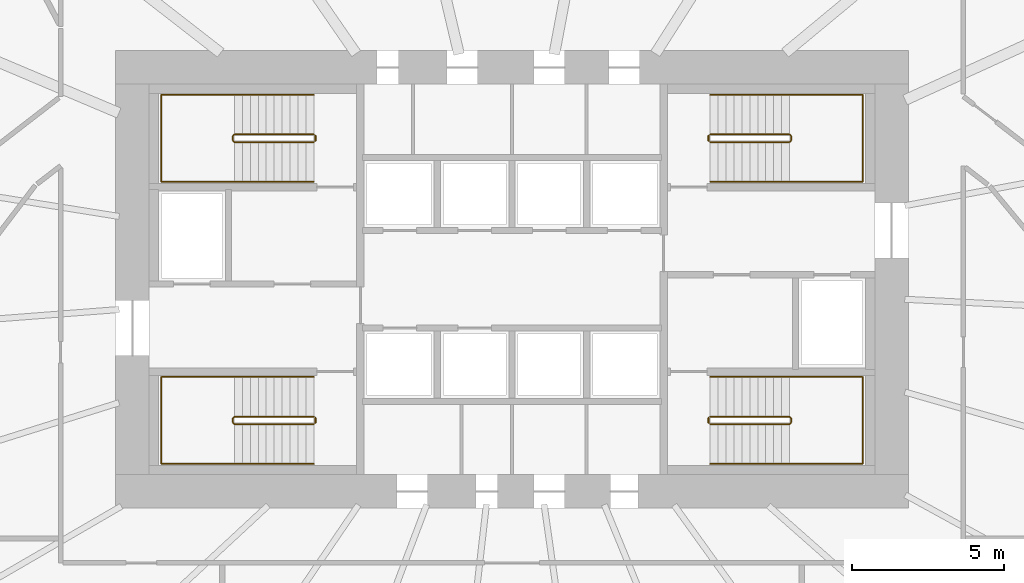
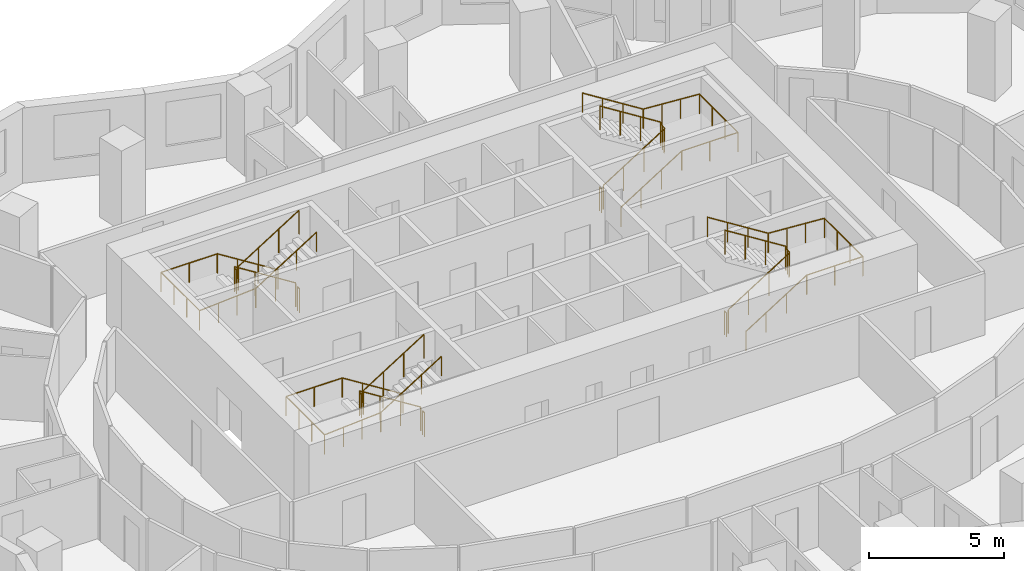
# One storey, part 10 of 10: 12 railings.
"""IFC4 building model written with IfcOpenShell, lengths in metres."""

from ifc_helpers import new_model, si_unit, direction, frame, origin, origin_2d, place, context, subcontext, project, spatial, circle, extrude, material, type_object, element, save


model = new_model("IFC4")

# Units and contexts
model_context = context("Model", 3, precision=1e-05, world=origin(), true_north=direction((0.0, 1.0)))
body_context = subcontext(model_context, "Body", "Model", "MODEL_VIEW")
ifc_project = project(units=[si_unit("LENGTHUNIT", "METRE"), si_unit("AREAUNIT", "SQUARE_METRE"), si_unit("VOLUMEUNIT", "CUBIC_METRE"), si_unit("PLANEANGLEUNIT", "RADIAN"), si_unit("MASSUNIT", "GRAM", prefix="KILO")], contexts=[model_context])

# Site, building, storey
site_placement = place(None, origin())
site = spatial("IfcSite", under=ifc_project, at=site_placement, CompositionType="ELEMENT")
building_placement = place(site_placement, origin())
building = spatial("IfcBuilding", under=site, at=building_placement, Name="Rubra Terraces Tower", CompositionType="ELEMENT")
storey_placement = place(building_placement, frame((0.0, 0.0, 88.800048828125)))
storey = spatial("IfcBuildingStorey", under=building, at=storey_placement, Name="L20", CompositionType="ELEMENT", Elevation=88.800048828125)

# Railings
ifc_material = material(Name="Stainless steel", Category="steel")
railing_type_1 = type_object("IfcRailingType", Name="Core stair guard 1100", PredefinedType="GUARDRAIL", material=ifc_material)
railing_1_placement = place(storey_placement, frame((-6.5, 0.0, 0.16357421875)))
element("IfcRailing", 1, at=railing_1_placement, inside=storey, type_object=railing_type_1, Name="L20 stair S1 guard 1", PredefinedType="GUARDRAIL", context=body_context, shape_type="SweptSolid", body=[
    extrude(circle(Radius=0.02392578125, at=origin_2d()), frame((0.0, 0.0, 1.076171875), z_axis=(-0.846324394277, 0.0, 0.532667832379), x_axis=(0.0, -1.0, 0.0)), (0.0, 0.0, 1.0), 3.072265625),
    extrude(circle(Radius=0.02392578125, at=origin_2d()), frame((-2.60009765625, 0.0, 2.71240234375), z_axis=(-0.705375805398, -0.708833529934, 0.0), x_axis=(0.708833529934, -0.705375805398, 0.0)), (0.0, 0.0, 1.0), 0.070556640625),
    extrude(circle(Radius=0.02392578125, at=origin_2d()), frame((-2.64990234375, -0.050048828125, 2.71240234375), z_axis=(0.0, -1.0, 0.0), x_axis=(1.0, 0.0, 0.0)), (0.0, 0.0, 1.0), 0.14990234375),
    extrude(circle(Radius=0.02392578125, at=origin_2d()), frame((-2.64990234375, -0.199951171875, 2.71240234375), z_axis=(0.279546231943, -0.280916556609, 0.91811752648), x_axis=(0.708833529934, 0.705375805398, 0.0)), (0.0, 0.0, 1.0), 0.17822265625),
    extrude(circle(Radius=0.02392578125, at=origin_2d()), frame((-2.60009765625, -0.25, 2.8759765625), z_axis=(0.846360218416, 0.0, 0.532610909279), x_axis=(0.0, 1.0, 0.0)), (0.0, 0.0, 1.0), 3.072021484375),
    extrude(circle(Radius=0.02099609375, at=origin_2d()), origin(), (0.0, 0.0, 1.0), 1.052001953125),
    extrude(circle(Radius=0.02099609375, at=origin_2d()), frame((-0.86669921875, 0.0, 0.54541015625)), (0.0, 0.0, 1.0), 1.052001953125),
    extrude(circle(Radius=0.02099609375, at=origin_2d()), frame((-1.7333984375, 0.0, 1.091064453125)), (0.0, 0.0, 1.0), 1.052001953125),
    extrude(circle(Radius=0.02099609375, at=origin_2d()), frame((-2.60009765625, 0.0, 1.636474609375)), (0.0, 0.0, 1.0), 1.052001953125),
    extrude(circle(Radius=0.02099609375, at=origin_2d()), frame((-2.64990234375, -0.050048828125, 1.636474609375)), (0.0, 0.0, 1.0), 1.052001953125),
    extrude(circle(Radius=0.02099609375, at=origin_2d()), frame((-2.64990234375, -0.199951171875, 1.636474609375)), (0.0, 0.0, 1.0), 1.052001953125),
    extrude(circle(Radius=0.02099609375, at=origin_2d()), frame((-2.60009765625, -0.25, 1.800048828125)), (0.0, 0.0, 1.0), 1.052001953125),
    extrude(circle(Radius=0.02099609375, at=origin_2d()), frame((-1.7333984375, -0.25, 2.345458984375)), (0.0, 0.0, 1.0), 1.052001953125),
    extrude(circle(Radius=0.02099609375, at=origin_2d()), frame((-0.86669921875, -0.25, 2.890869140625)), (0.0, 0.0, 1.0), 1.052001953125),
    extrude(circle(Radius=0.02099609375, at=origin_2d()), frame((0.0, -0.25, 3.436279296875)), (0.0, 0.0, 1.0), 1.052001953125),
])
railing_2_placement = place(storey_placement, frame((-6.449951171875, -0.050048828125, 0.0)))
element("IfcRailing", 2, at=railing_2_placement, inside=storey, type_object=railing_type_1, Name="L20 stair S1 guard 2", PredefinedType="GUARDRAIL", context=body_context, shape_type="SweptSolid", body=[
    extrude(circle(Radius=0.02392578125, at=origin_2d()), frame((0.0, 0.0, 1.076171875), z_axis=(0.0, -1.0, 0.0), x_axis=(1.0, 0.0, 0.0)), (0.0, 0.0, 1.0), 0.14990234375),
    extrude(circle(Radius=0.02099609375, at=origin_2d()), origin(), (0.0, 0.0, 1.0), 1.052001953125),
    extrude(circle(Radius=0.02099609375, at=origin_2d()), frame((0.0, -0.14990234375, 0.0)), (0.0, 0.0, 1.0), 1.052001953125),
])
railing_3_placement = place(storey_placement, frame((-6.5, 9.25, 0.16357421875)))
element("IfcRailing", 3, at=railing_3_placement, inside=storey, type_object=railing_type_1, Name="L20 stair S2 guard 1", PredefinedType="GUARDRAIL", context=body_context, shape_type="SweptSolid", body=[
    extrude(circle(Radius=0.02392578125, at=origin_2d()), frame((0.0, 0.0, 1.076171875), z_axis=(-0.846324394277, 0.0, 0.532667832379), x_axis=(0.0, -1.0, 0.0)), (0.0, 0.0, 1.0), 3.072265625),
    extrude(circle(Radius=0.02392578125, at=origin_2d()), frame((-2.60009765625, 0.0, 2.71240234375), z_axis=(-0.705375805398, -0.708833529934, 0.0), x_axis=(0.708833529934, -0.705375805398, 0.0)), (0.0, 0.0, 1.0), 0.070556640625),
    extrude(circle(Radius=0.02392578125, at=origin_2d()), frame((-2.64990234375, -0.050048828125, 2.71240234375), z_axis=(0.0, -1.0, 0.0), x_axis=(1.0, 0.0, 0.0)), (0.0, 0.0, 1.0), 0.14990234375),
    extrude(circle(Radius=0.02392578125, at=origin_2d()), frame((-2.64990234375, -0.199951171875, 2.71240234375), z_axis=(0.279546231943, -0.280916556609, 0.91811752648), x_axis=(0.708833529934, 0.705375805398, 0.0)), (0.0, 0.0, 1.0), 0.17822265625),
    extrude(circle(Radius=0.02392578125, at=origin_2d()), frame((-2.60009765625, -0.25, 2.8759765625), z_axis=(0.846360218416, 0.0, 0.532610909279), x_axis=(0.0, 1.0, 0.0)), (0.0, 0.0, 1.0), 3.072021484375),
    extrude(circle(Radius=0.02099609375, at=origin_2d()), origin(), (0.0, 0.0, 1.0), 1.052001953125),
    extrude(circle(Radius=0.02099609375, at=origin_2d()), frame((-0.86669921875, 0.0, 0.54541015625)), (0.0, 0.0, 1.0), 1.052001953125),
    extrude(circle(Radius=0.02099609375, at=origin_2d()), frame((-1.7333984375, 0.0, 1.091064453125)), (0.0, 0.0, 1.0), 1.052001953125),
    extrude(circle(Radius=0.02099609375, at=origin_2d()), frame((-2.60009765625, 0.0, 1.636474609375)), (0.0, 0.0, 1.0), 1.052001953125),
    extrude(circle(Radius=0.02099609375, at=origin_2d()), frame((-2.64990234375, -0.050048828125, 1.636474609375)), (0.0, 0.0, 1.0), 1.052001953125),
    extrude(circle(Radius=0.02099609375, at=origin_2d()), frame((-2.64990234375, -0.199951171875, 1.636474609375)), (0.0, 0.0, 1.0), 1.052001953125),
    extrude(circle(Radius=0.02099609375, at=origin_2d()), frame((-2.60009765625, -0.25, 1.800048828125)), (0.0, 0.0, 1.0), 1.052001953125),
    extrude(circle(Radius=0.02099609375, at=origin_2d()), frame((-1.7333984375, -0.25, 2.345458984375)), (0.0, 0.0, 1.0), 1.052001953125),
    extrude(circle(Radius=0.02099609375, at=origin_2d()), frame((-0.86669921875, -0.25, 2.890869140625)), (0.0, 0.0, 1.0), 1.052001953125),
    extrude(circle(Radius=0.02099609375, at=origin_2d()), frame((0.0, -0.25, 3.436279296875)), (0.0, 0.0, 1.0), 1.052001953125),
])
railing_4_placement = place(storey_placement, frame((-6.449951171875, 9.199951171875, 0.0)))
element("IfcRailing", 4, at=railing_4_placement, inside=storey, type_object=railing_type_1, Name="L20 stair S2 guard 2", PredefinedType="GUARDRAIL", context=body_context, shape_type="SweptSolid", body=[
    extrude(circle(Radius=0.02392578125, at=origin_2d()), frame((0.0, 0.0, 1.076171875), z_axis=(0.0, -1.0, 0.0), x_axis=(1.0, 0.0, 0.0)), (0.0, 0.0, 1.0), 0.14990234375),
    extrude(circle(Radius=0.02099609375, at=origin_2d()), origin(), (0.0, 0.0, 1.0), 1.052001953125),
    extrude(circle(Radius=0.02099609375, at=origin_2d()), frame((0.0, -0.14990234375, 0.0)), (0.0, 0.0, 1.0), 1.052001953125),
])
railing_5_placement = place(storey_placement, frame((6.5, 9.0, 0.16357421875)))
element("IfcRailing", 5, at=railing_5_placement, inside=storey, type_object=railing_type_1, Name="L20 stair S3 guard 1", PredefinedType="GUARDRAIL", context=body_context, shape_type="SweptSolid", body=[
    extrude(circle(Radius=0.02392578125, at=origin_2d()), frame((0.0, 0.0, 1.076171875), z_axis=(0.846324394277, 0.0, 0.532667832379), x_axis=(0.0, 1.0, 0.0)), (0.0, 0.0, 1.0), 3.072265625),
    extrude(circle(Radius=0.02392578125, at=origin_2d()), frame((2.60009765625, 0.0, 2.71240234375), z_axis=(0.705375805398, 0.708833529934, 0.0), x_axis=(-0.708833529934, 0.705375805398, 0.0)), (0.0, 0.0, 1.0), 0.070556640625),
    extrude(circle(Radius=0.02392578125, at=origin_2d()), frame((2.64990234375, 0.050048828125, 2.71240234375), z_axis=(0.0, 1.0, 0.0), x_axis=(-1.0, 0.0, 0.0)), (0.0, 0.0, 1.0), 0.14990234375),
    extrude(circle(Radius=0.02392578125, at=origin_2d()), frame((2.64990234375, 0.199951171875, 2.71240234375), z_axis=(-0.279546231943, 0.280916556609, 0.91811752648), x_axis=(-0.708833529934, -0.705375805398, 0.0)), (0.0, 0.0, 1.0), 0.17822265625),
    extrude(circle(Radius=0.02392578125, at=origin_2d()), frame((2.60009765625, 0.25, 2.8759765625), z_axis=(-0.846360218416, 0.0, 0.532610909279), x_axis=(0.0, -1.0, 0.0)), (0.0, 0.0, 1.0), 3.072021484375),
    extrude(circle(Radius=0.02099609375, at=origin_2d()), origin(), (0.0, 0.0, 1.0), 1.052001953125),
    extrude(circle(Radius=0.02099609375, at=origin_2d()), frame((0.86669921875, 0.0, 0.54541015625)), (0.0, 0.0, 1.0), 1.052001953125),
    extrude(circle(Radius=0.02099609375, at=origin_2d()), frame((1.7333984375, 0.0, 1.091064453125)), (0.0, 0.0, 1.0), 1.052001953125),
    extrude(circle(Radius=0.02099609375, at=origin_2d()), frame((2.60009765625, 0.0, 1.636474609375)), (0.0, 0.0, 1.0), 1.052001953125),
    extrude(circle(Radius=0.02099609375, at=origin_2d()), frame((2.64990234375, 0.050048828125, 1.636474609375)), (0.0, 0.0, 1.0), 1.052001953125),
    extrude(circle(Radius=0.02099609375, at=origin_2d()), frame((2.64990234375, 0.199951171875, 1.636474609375)), (0.0, 0.0, 1.0), 1.052001953125),
    extrude(circle(Radius=0.02099609375, at=origin_2d()), frame((2.60009765625, 0.25, 1.800048828125)), (0.0, 0.0, 1.0), 1.052001953125),
    extrude(circle(Radius=0.02099609375, at=origin_2d()), frame((1.7333984375, 0.25, 2.345458984375)), (0.0, 0.0, 1.0), 1.052001953125),
    extrude(circle(Radius=0.02099609375, at=origin_2d()), frame((0.86669921875, 0.25, 2.890869140625)), (0.0, 0.0, 1.0), 1.052001953125),
    extrude(circle(Radius=0.02099609375, at=origin_2d()), frame((0.0, 0.25, 3.436279296875)), (0.0, 0.0, 1.0), 1.052001953125),
])
railing_6_placement = place(storey_placement, frame((6.449951171875, 9.050048828125, 0.0)))
element("IfcRailing", 6, at=railing_6_placement, inside=storey, type_object=railing_type_1, Name="L20 stair S3 guard 2", PredefinedType="GUARDRAIL", context=body_context, shape_type="SweptSolid", body=[
    extrude(circle(Radius=0.02392578125, at=origin_2d()), frame((0.0, 0.0, 1.076171875), z_axis=(0.0, 1.0, 0.0), x_axis=(-1.0, 0.0, 0.0)), (0.0, 0.0, 1.0), 0.14990234375),
    extrude(circle(Radius=0.02099609375, at=origin_2d()), origin(), (0.0, 0.0, 1.0), 1.052001953125),
    extrude(circle(Radius=0.02099609375, at=origin_2d()), frame((0.0, 0.14990234375, 0.0)), (0.0, 0.0, 1.0), 1.052001953125),
])
railing_7_placement = place(storey_placement, frame((6.5, -0.25, 0.16357421875)))
element("IfcRailing", 7, at=railing_7_placement, inside=storey, type_object=railing_type_1, Name="L20 stair S4 guard 1", PredefinedType="GUARDRAIL", context=body_context, shape_type="SweptSolid", body=[
    extrude(circle(Radius=0.02392578125, at=origin_2d()), frame((0.0, 0.0, 1.076171875), z_axis=(0.846324394277, 0.0, 0.532667832379), x_axis=(0.0, 1.0, 0.0)), (0.0, 0.0, 1.0), 3.072265625),
    extrude(circle(Radius=0.02392578125, at=origin_2d()), frame((2.60009765625, 0.0, 2.71240234375), z_axis=(0.705375805398, 0.708833529934, 0.0), x_axis=(-0.708833529934, 0.705375805398, 0.0)), (0.0, 0.0, 1.0), 0.070556640625),
    extrude(circle(Radius=0.02392578125, at=origin_2d()), frame((2.64990234375, 0.050048828125, 2.71240234375), z_axis=(0.0, 1.0, 0.0), x_axis=(-1.0, 0.0, 0.0)), (0.0, 0.0, 1.0), 0.14990234375),
    extrude(circle(Radius=0.02392578125, at=origin_2d()), frame((2.64990234375, 0.199951171875, 2.71240234375), z_axis=(-0.279546231943, 0.280916556609, 0.91811752648), x_axis=(-0.708833529934, -0.705375805398, 0.0)), (0.0, 0.0, 1.0), 0.17822265625),
    extrude(circle(Radius=0.02392578125, at=origin_2d()), frame((2.60009765625, 0.25, 2.8759765625), z_axis=(-0.846360218416, 0.0, 0.532610909279), x_axis=(0.0, -1.0, 0.0)), (0.0, 0.0, 1.0), 3.072021484375),
    extrude(circle(Radius=0.02099609375, at=origin_2d()), origin(), (0.0, 0.0, 1.0), 1.052001953125),
    extrude(circle(Radius=0.02099609375, at=origin_2d()), frame((0.86669921875, 0.0, 0.54541015625)), (0.0, 0.0, 1.0), 1.052001953125),
    extrude(circle(Radius=0.02099609375, at=origin_2d()), frame((1.7333984375, 0.0, 1.091064453125)), (0.0, 0.0, 1.0), 1.052001953125),
    extrude(circle(Radius=0.02099609375, at=origin_2d()), frame((2.60009765625, 0.0, 1.636474609375)), (0.0, 0.0, 1.0), 1.052001953125),
    extrude(circle(Radius=0.02099609375, at=origin_2d()), frame((2.64990234375, 0.050048828125, 1.636474609375)), (0.0, 0.0, 1.0), 1.052001953125),
    extrude(circle(Radius=0.02099609375, at=origin_2d()), frame((2.64990234375, 0.199951171875, 1.636474609375)), (0.0, 0.0, 1.0), 1.052001953125),
    extrude(circle(Radius=0.02099609375, at=origin_2d()), frame((2.60009765625, 0.25, 1.800048828125)), (0.0, 0.0, 1.0), 1.052001953125),
    extrude(circle(Radius=0.02099609375, at=origin_2d()), frame((1.7333984375, 0.25, 2.345458984375)), (0.0, 0.0, 1.0), 1.052001953125),
    extrude(circle(Radius=0.02099609375, at=origin_2d()), frame((0.86669921875, 0.25, 2.890869140625)), (0.0, 0.0, 1.0), 1.052001953125),
    extrude(circle(Radius=0.02099609375, at=origin_2d()), frame((0.0, 0.25, 3.436279296875)), (0.0, 0.0, 1.0), 1.052001953125),
])
railing_8_placement = place(storey_placement, frame((6.449951171875, -0.199951171875, 0.0)))
element("IfcRailing", 8, at=railing_8_placement, inside=storey, type_object=railing_type_1, Name="L20 stair S4 guard 2", PredefinedType="GUARDRAIL", context=body_context, shape_type="SweptSolid", body=[
    extrude(circle(Radius=0.02392578125, at=origin_2d()), frame((0.0, 0.0, 1.076171875), z_axis=(0.0, 1.0, 0.0), x_axis=(-1.0, 0.0, 0.0)), (0.0, 0.0, 1.0), 0.14990234375),
    extrude(circle(Radius=0.02099609375, at=origin_2d()), origin(), (0.0, 0.0, 1.0), 1.052001953125),
    extrude(circle(Radius=0.02099609375, at=origin_2d()), frame((0.0, 0.14990234375, 0.0)), (0.0, 0.0, 1.0), 1.052001953125),
])
railing_type_2 = type_object("IfcRailingType", Name="Core stair handrail 900", PredefinedType="HANDRAIL", material=ifc_material)
railing_9_placement = place(storey_placement, frame((-6.5, 1.300048828125, 0.16357421875)))
element("IfcRailing", 9, at=railing_9_placement, inside=storey, type_object=railing_type_2, Name="L20 stair S1 handrail 1", PredefinedType="HANDRAIL", context=body_context, shape_type="SweptSolid", body=[
    extrude(circle(Radius=0.02392578125, at=origin_2d()), frame((0.0, 0.0, 0.8759765625), z_axis=(-0.846324394277, 0.0, 0.532667832379), x_axis=(0.0, -1.0, 0.0)), (0.0, 0.0, 1.0), 3.072265625),
    extrude(circle(Radius=0.02392578125, at=origin_2d()), frame((-2.60009765625, 0.0, 2.51220703125), z_axis=(-1.0, 0.0, 0.0), x_axis=(0.0, -1.0, 0.0)), (0.0, 0.0, 1.0), 2.39990234375),
    extrude(circle(Radius=0.02392578125, at=origin_2d()), frame((-5.0, 0.0, 2.51220703125), z_axis=(0.0, -1.0, 0.0), x_axis=(1.0, 0.0, 0.0)), (0.0, 0.0, 1.0), 2.85009765625),
    extrude(circle(Radius=0.02392578125, at=origin_2d()), frame((-5.0, -2.85009765625, 2.51220703125), z_axis=(0.997685257876, 0.0, 0.068000928055), x_axis=(0.0, 1.0, 0.0)), (0.0, 0.0, 1.0), 2.405517578125),
    extrude(circle(Radius=0.02392578125, at=origin_2d()), frame((-2.60009765625, -2.85009765625, 2.67578125), z_axis=(0.846360218416, 0.0, 0.532610909279), x_axis=(0.0, 1.0, 0.0)), (0.0, 0.0, 1.0), 3.072021484375),
    extrude(circle(Radius=0.02099609375, at=origin_2d()), origin(), (0.0, 0.0, 1.0), 0.851806640625),
    extrude(circle(Radius=0.02099609375, at=origin_2d()), frame((-0.86669921875, 0.0, 0.54541015625)), (0.0, 0.0, 1.0), 0.851806640625),
    extrude(circle(Radius=0.02099609375, at=origin_2d()), frame((-1.7333984375, 0.0, 1.091064453125)), (0.0, 0.0, 1.0), 0.851806640625),
    extrude(circle(Radius=0.02099609375, at=origin_2d()), frame((-2.60009765625, 0.0, 1.636474609375)), (0.0, 0.0, 1.0), 0.851806640625),
    extrude(circle(Radius=0.02099609375, at=origin_2d()), frame((-3.800048828125, 0.0, 1.636474609375)), (0.0, 0.0, 1.0), 0.851806640625),
    extrude(circle(Radius=0.02099609375, at=origin_2d()), frame((-5.0, 0.0, 1.636474609375)), (0.0, 0.0, 1.0), 0.851806640625),
    extrude(circle(Radius=0.02099609375, at=origin_2d()), frame((-5.0, -0.949951171875, 1.636474609375)), (0.0, 0.0, 1.0), 0.851806640625),
    extrude(circle(Radius=0.02099609375, at=origin_2d()), frame((-5.0, -1.900146484375, 1.636474609375)), (0.0, 0.0, 1.0), 0.851806640625),
    extrude(circle(Radius=0.02099609375, at=origin_2d()), frame((-5.0, -2.85009765625, 1.636474609375)), (0.0, 0.0, 1.0), 0.851806640625),
    extrude(circle(Radius=0.02099609375, at=origin_2d()), frame((-4.199951171875, -2.85009765625, 1.69091796875)), (0.0, 0.0, 1.0), 0.851806640625),
    extrude(circle(Radius=0.02099609375, at=origin_2d()), frame((-3.400146484375, -2.85009765625, 1.74560546875)), (0.0, 0.0, 1.0), 0.851806640625),
    extrude(circle(Radius=0.02099609375, at=origin_2d()), frame((-2.60009765625, -2.85009765625, 1.800048828125)), (0.0, 0.0, 1.0), 0.851806640625),
    extrude(circle(Radius=0.02099609375, at=origin_2d()), frame((-1.7333984375, -2.85009765625, 2.345458984375)), (0.0, 0.0, 1.0), 0.851806640625),
    extrude(circle(Radius=0.02099609375, at=origin_2d()), frame((-0.86669921875, -2.85009765625, 2.890869140625)), (0.0, 0.0, 1.0), 0.851806640625),
    extrude(circle(Radius=0.02099609375, at=origin_2d()), frame((0.0, -2.85009765625, 3.436279296875)), (0.0, 0.0, 1.0), 0.851806640625),
])
railing_10_placement = place(storey_placement, frame((-6.5, 10.550048828125, 0.16357421875)))
element("IfcRailing", 10, at=railing_10_placement, inside=storey, type_object=railing_type_2, Name="L20 stair S2 handrail 1", PredefinedType="HANDRAIL", context=body_context, shape_type="SweptSolid", body=[
    extrude(circle(Radius=0.02392578125, at=origin_2d()), frame((0.0, 0.0, 0.8759765625), z_axis=(-0.846324394277, 0.0, 0.532667832379), x_axis=(0.0, -1.0, 0.0)), (0.0, 0.0, 1.0), 3.072265625),
    extrude(circle(Radius=0.02392578125, at=origin_2d()), frame((-2.60009765625, 0.0, 2.51220703125), z_axis=(-1.0, 0.0, 0.0), x_axis=(0.0, -1.0, 0.0)), (0.0, 0.0, 1.0), 2.39990234375),
    extrude(circle(Radius=0.02392578125, at=origin_2d()), frame((-5.0, 0.0, 2.51220703125), z_axis=(0.0, -1.0, 0.0), x_axis=(1.0, 0.0, 0.0)), (0.0, 0.0, 1.0), 2.85009765625),
    extrude(circle(Radius=0.02392578125, at=origin_2d()), frame((-5.0, -2.85009765625, 2.51220703125), z_axis=(0.997685257876, 0.0, 0.068000928055), x_axis=(0.0, 1.0, 0.0)), (0.0, 0.0, 1.0), 2.405517578125),
    extrude(circle(Radius=0.02392578125, at=origin_2d()), frame((-2.60009765625, -2.85009765625, 2.67578125), z_axis=(0.846360218416, 0.0, 0.532610909279), x_axis=(0.0, 1.0, 0.0)), (0.0, 0.0, 1.0), 3.072021484375),
    extrude(circle(Radius=0.02099609375, at=origin_2d()), origin(), (0.0, 0.0, 1.0), 0.851806640625),
    extrude(circle(Radius=0.02099609375, at=origin_2d()), frame((-0.86669921875, 0.0, 0.54541015625)), (0.0, 0.0, 1.0), 0.851806640625),
    extrude(circle(Radius=0.02099609375, at=origin_2d()), frame((-1.7333984375, 0.0, 1.091064453125)), (0.0, 0.0, 1.0), 0.851806640625),
    extrude(circle(Radius=0.02099609375, at=origin_2d()), frame((-2.60009765625, 0.0, 1.636474609375)), (0.0, 0.0, 1.0), 0.851806640625),
    extrude(circle(Radius=0.02099609375, at=origin_2d()), frame((-3.800048828125, 0.0, 1.636474609375)), (0.0, 0.0, 1.0), 0.851806640625),
    extrude(circle(Radius=0.02099609375, at=origin_2d()), frame((-5.0, 0.0, 1.636474609375)), (0.0, 0.0, 1.0), 0.851806640625),
    extrude(circle(Radius=0.02099609375, at=origin_2d()), frame((-5.0, -0.949951171875, 1.636474609375)), (0.0, 0.0, 1.0), 0.851806640625),
    extrude(circle(Radius=0.02099609375, at=origin_2d()), frame((-5.0, -1.900146484375, 1.636474609375)), (0.0, 0.0, 1.0), 0.851806640625),
    extrude(circle(Radius=0.02099609375, at=origin_2d()), frame((-5.0, -2.85009765625, 1.636474609375)), (0.0, 0.0, 1.0), 0.851806640625),
    extrude(circle(Radius=0.02099609375, at=origin_2d()), frame((-4.199951171875, -2.85009765625, 1.69091796875)), (0.0, 0.0, 1.0), 0.851806640625),
    extrude(circle(Radius=0.02099609375, at=origin_2d()), frame((-3.400146484375, -2.85009765625, 1.74560546875)), (0.0, 0.0, 1.0), 0.851806640625),
    extrude(circle(Radius=0.02099609375, at=origin_2d()), frame((-2.60009765625, -2.85009765625, 1.800048828125)), (0.0, 0.0, 1.0), 0.851806640625),
    extrude(circle(Radius=0.02099609375, at=origin_2d()), frame((-1.7333984375, -2.85009765625, 2.345458984375)), (0.0, 0.0, 1.0), 0.851806640625),
    extrude(circle(Radius=0.02099609375, at=origin_2d()), frame((-0.86669921875, -2.85009765625, 2.890869140625)), (0.0, 0.0, 1.0), 0.851806640625),
    extrude(circle(Radius=0.02099609375, at=origin_2d()), frame((0.0, -2.85009765625, 3.436279296875)), (0.0, 0.0, 1.0), 0.851806640625),
])
railing_11_placement = place(storey_placement, frame((6.5, 7.699951171875, 0.16357421875)))
element("IfcRailing", 11, at=railing_11_placement, inside=storey, type_object=railing_type_2, Name="L20 stair S3 handrail 1", PredefinedType="HANDRAIL", context=body_context, shape_type="SweptSolid", body=[
    extrude(circle(Radius=0.02392578125, at=origin_2d()), frame((0.0, 0.0, 0.8759765625), z_axis=(0.846324394277, 0.0, 0.532667832379), x_axis=(0.0, 1.0, 0.0)), (0.0, 0.0, 1.0), 3.072265625),
    extrude(circle(Radius=0.02392578125, at=origin_2d()), frame((2.60009765625, 0.0, 2.51220703125), z_axis=(1.0, 0.0, 0.0), x_axis=(0.0, 1.0, 0.0)), (0.0, 0.0, 1.0), 2.39990234375),
    extrude(circle(Radius=0.02392578125, at=origin_2d()), frame((5.0, 0.0, 2.51220703125), z_axis=(0.0, 1.0, 0.0), x_axis=(-1.0, 0.0, 0.0)), (0.0, 0.0, 1.0), 2.85009765625),
    extrude(circle(Radius=0.02392578125, at=origin_2d()), frame((5.0, 2.85009765625, 2.51220703125), z_axis=(-0.997685257876, 0.0, 0.068000928055), x_axis=(0.0, -1.0, 0.0)), (0.0, 0.0, 1.0), 2.405517578125),
    extrude(circle(Radius=0.02392578125, at=origin_2d()), frame((2.60009765625, 2.85009765625, 2.67578125), z_axis=(-0.846360218416, 0.0, 0.532610909279), x_axis=(0.0, -1.0, 0.0)), (0.0, 0.0, 1.0), 3.072021484375),
    extrude(circle(Radius=0.02099609375, at=origin_2d()), origin(), (0.0, 0.0, 1.0), 0.851806640625),
    extrude(circle(Radius=0.02099609375, at=origin_2d()), frame((0.86669921875, 0.0, 0.54541015625)), (0.0, 0.0, 1.0), 0.851806640625),
    extrude(circle(Radius=0.02099609375, at=origin_2d()), frame((1.7333984375, 0.0, 1.091064453125)), (0.0, 0.0, 1.0), 0.851806640625),
    extrude(circle(Radius=0.02099609375, at=origin_2d()), frame((2.60009765625, 0.0, 1.636474609375)), (0.0, 0.0, 1.0), 0.851806640625),
    extrude(circle(Radius=0.02099609375, at=origin_2d()), frame((3.800048828125, 0.0, 1.636474609375)), (0.0, 0.0, 1.0), 0.851806640625),
    extrude(circle(Radius=0.02099609375, at=origin_2d()), frame((5.0, 0.0, 1.636474609375)), (0.0, 0.0, 1.0), 0.851806640625),
    extrude(circle(Radius=0.02099609375, at=origin_2d()), frame((5.0, 0.949951171875, 1.636474609375)), (0.0, 0.0, 1.0), 0.851806640625),
    extrude(circle(Radius=0.02099609375, at=origin_2d()), frame((5.0, 1.900146484375, 1.636474609375)), (0.0, 0.0, 1.0), 0.851806640625),
    extrude(circle(Radius=0.02099609375, at=origin_2d()), frame((5.0, 2.85009765625, 1.636474609375)), (0.0, 0.0, 1.0), 0.851806640625),
    extrude(circle(Radius=0.02099609375, at=origin_2d()), frame((4.199951171875, 2.85009765625, 1.69091796875)), (0.0, 0.0, 1.0), 0.851806640625),
    extrude(circle(Radius=0.02099609375, at=origin_2d()), frame((3.400146484375, 2.85009765625, 1.74560546875)), (0.0, 0.0, 1.0), 0.851806640625),
    extrude(circle(Radius=0.02099609375, at=origin_2d()), frame((2.60009765625, 2.85009765625, 1.800048828125)), (0.0, 0.0, 1.0), 0.851806640625),
    extrude(circle(Radius=0.02099609375, at=origin_2d()), frame((1.7333984375, 2.85009765625, 2.345458984375)), (0.0, 0.0, 1.0), 0.851806640625),
    extrude(circle(Radius=0.02099609375, at=origin_2d()), frame((0.86669921875, 2.85009765625, 2.890869140625)), (0.0, 0.0, 1.0), 0.851806640625),
    extrude(circle(Radius=0.02099609375, at=origin_2d()), frame((0.0, 2.85009765625, 3.436279296875)), (0.0, 0.0, 1.0), 0.851806640625),
])
railing_12_placement = place(storey_placement, frame((6.5, -1.550048828125, 0.16357421875)))
element("IfcRailing", 12, at=railing_12_placement, inside=storey, type_object=railing_type_2, Name="L20 stair S4 handrail 1", PredefinedType="HANDRAIL", context=body_context, shape_type="SweptSolid", body=[
    extrude(circle(Radius=0.02392578125, at=origin_2d()), frame((0.0, 0.0, 0.8759765625), z_axis=(0.846324394277, 0.0, 0.532667832379), x_axis=(0.0, 1.0, 0.0)), (0.0, 0.0, 1.0), 3.072265625),
    extrude(circle(Radius=0.02392578125, at=origin_2d()), frame((2.60009765625, 0.0, 2.51220703125), z_axis=(1.0, 0.0, 0.0), x_axis=(0.0, 1.0, 0.0)), (0.0, 0.0, 1.0), 2.39990234375),
    extrude(circle(Radius=0.02392578125, at=origin_2d()), frame((5.0, 0.0, 2.51220703125), z_axis=(0.0, 1.0, 0.0), x_axis=(-1.0, 0.0, 0.0)), (0.0, 0.0, 1.0), 2.85009765625),
    extrude(circle(Radius=0.02392578125, at=origin_2d()), frame((5.0, 2.85009765625, 2.51220703125), z_axis=(-0.997685257876, 0.0, 0.068000928055), x_axis=(0.0, -1.0, 0.0)), (0.0, 0.0, 1.0), 2.405517578125),
    extrude(circle(Radius=0.02392578125, at=origin_2d()), frame((2.60009765625, 2.85009765625, 2.67578125), z_axis=(-0.846360218416, 0.0, 0.532610909279), x_axis=(0.0, -1.0, 0.0)), (0.0, 0.0, 1.0), 3.072021484375),
    extrude(circle(Radius=0.02099609375, at=origin_2d()), origin(), (0.0, 0.0, 1.0), 0.851806640625),
    extrude(circle(Radius=0.02099609375, at=origin_2d()), frame((0.86669921875, 0.0, 0.54541015625)), (0.0, 0.0, 1.0), 0.851806640625),
    extrude(circle(Radius=0.02099609375, at=origin_2d()), frame((1.7333984375, 0.0, 1.091064453125)), (0.0, 0.0, 1.0), 0.851806640625),
    extrude(circle(Radius=0.02099609375, at=origin_2d()), frame((2.60009765625, 0.0, 1.636474609375)), (0.0, 0.0, 1.0), 0.851806640625),
    extrude(circle(Radius=0.02099609375, at=origin_2d()), frame((3.800048828125, 0.0, 1.636474609375)), (0.0, 0.0, 1.0), 0.851806640625),
    extrude(circle(Radius=0.02099609375, at=origin_2d()), frame((5.0, 0.0, 1.636474609375)), (0.0, 0.0, 1.0), 0.851806640625),
    extrude(circle(Radius=0.02099609375, at=origin_2d()), frame((5.0, 0.949951171875, 1.636474609375)), (0.0, 0.0, 1.0), 0.851806640625),
    extrude(circle(Radius=0.02099609375, at=origin_2d()), frame((5.0, 1.900146484375, 1.636474609375)), (0.0, 0.0, 1.0), 0.851806640625),
    extrude(circle(Radius=0.02099609375, at=origin_2d()), frame((5.0, 2.85009765625, 1.636474609375)), (0.0, 0.0, 1.0), 0.851806640625),
    extrude(circle(Radius=0.02099609375, at=origin_2d()), frame((4.199951171875, 2.85009765625, 1.69091796875)), (0.0, 0.0, 1.0), 0.851806640625),
    extrude(circle(Radius=0.02099609375, at=origin_2d()), frame((3.400146484375, 2.85009765625, 1.74560546875)), (0.0, 0.0, 1.0), 0.851806640625),
    extrude(circle(Radius=0.02099609375, at=origin_2d()), frame((2.60009765625, 2.85009765625, 1.800048828125)), (0.0, 0.0, 1.0), 0.851806640625),
    extrude(circle(Radius=0.02099609375, at=origin_2d()), frame((1.7333984375, 2.85009765625, 2.345458984375)), (0.0, 0.0, 1.0), 0.851806640625),
    extrude(circle(Radius=0.02099609375, at=origin_2d()), frame((0.86669921875, 2.85009765625, 2.890869140625)), (0.0, 0.0, 1.0), 0.851806640625),
    extrude(circle(Radius=0.02099609375, at=origin_2d()), frame((0.0, 2.85009765625, 3.436279296875)), (0.0, 0.0, 1.0), 0.851806640625),
])

save(model, "model.ifc")
